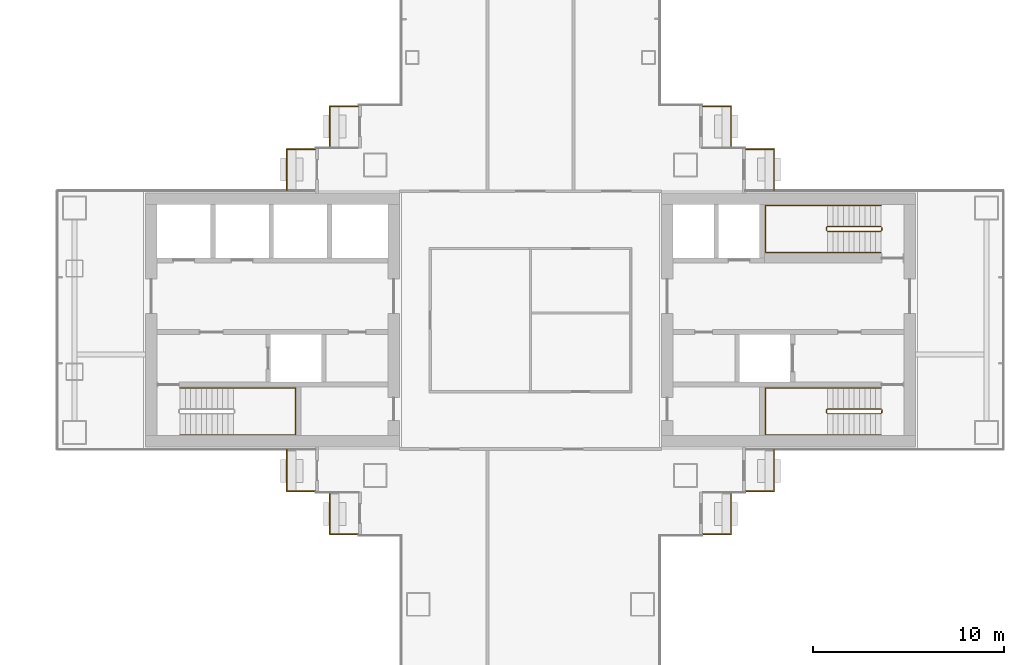
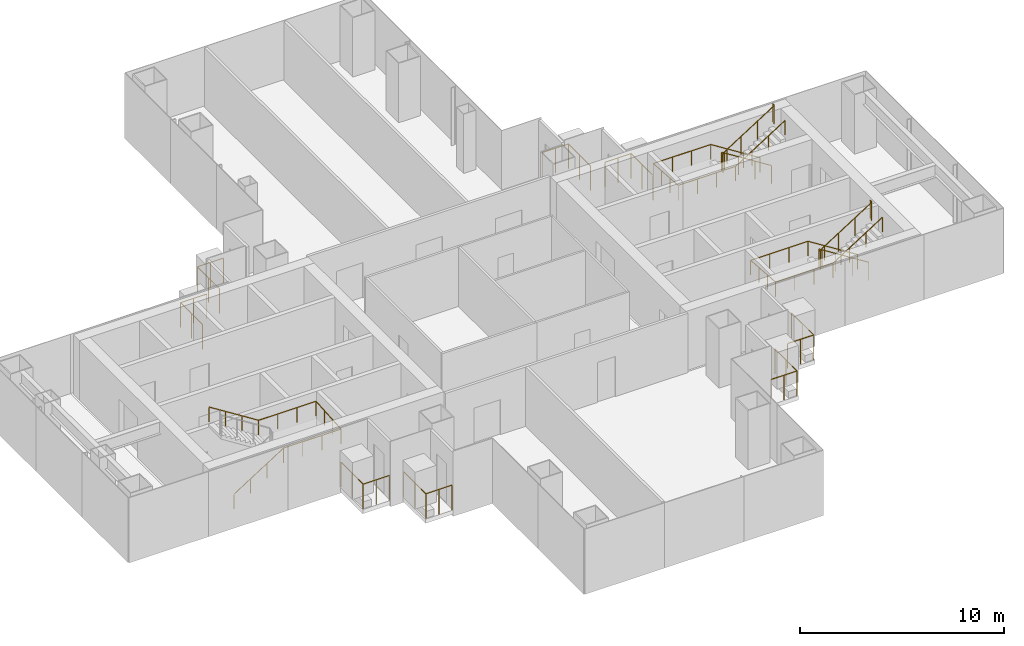
# One storey, part 19 of 20: 13 railings.
"""IFC4 building model written with IfcOpenShell, lengths in metres."""

from ifc_helpers import new_model, si_unit, direction, frame, origin, origin_2d, place, context, subcontext, project, spatial, circle, extrude, material, type_object, element, save


model = new_model("IFC4")

# Units and contexts
model_context = context("Model", 3, precision=1e-05, world=origin(), true_north=direction((0.0, 1.0)))
body_context = subcontext(model_context, "Body", "Model", "MODEL_VIEW")
ifc_project = project(units=[si_unit("LENGTHUNIT", "METRE"), si_unit("AREAUNIT", "SQUARE_METRE"), si_unit("VOLUMEUNIT", "CUBIC_METRE"), si_unit("PLANEANGLEUNIT", "RADIAN"), si_unit("MASSUNIT", "GRAM", prefix="KILO")], contexts=[model_context])

# Site, building, storey
site_placement = place(None, origin())
site = spatial("IfcSite", under=ifc_project, at=site_placement, CompositionType="ELEMENT")
building_placement = place(site_placement, origin())
building = spatial("IfcBuilding", under=site, at=building_placement, Name="Shamsa Quay Exchange Towers", CompositionType="ELEMENT")
storey_placement = place(building_placement, frame((0.0, 0.0, 120.89990234375)))
storey = spatial("IfcBuildingStorey", under=building, at=storey_placement, Name="L28", CompositionType="ELEMENT", Elevation=120.89990234375)

# Railings
ifc_material_1 = material(Name="Steel S355, black powder-coated", Category="steel")
railing_type_1 = type_object("IfcRailingType", Name="BALCONY GUARD 1500", PredefinedType="GUARDRAIL", material=ifc_material_1)
for number, where, name in (
    (1, (24.72900390625, 11.199951171875, 0.0), "Balcony guard T2-PKEN L28"),
    (2, (22.47900390625, 8.949951171875, 0.0), "Balcony guard T2-PKEN L28"),
):
    element("IfcRailing", number, at=place(storey_placement, frame(where)), inside=storey, type_object=railing_type_1, Name=name, PredefinedType="GUARDRAIL", context=body_context, shape_type="SweptSolid", body=[
        extrude(circle(Radius=0.02392578125, at=origin_2d()), frame((0.0, 0.0, 1.47607421875), z_axis=(-1.0, 0.0, 0.0), x_axis=(0.0, -1.0, 0.0)), (0.0, 0.0, 1.0), 1.47900390625),
        extrude(circle(Radius=0.02392578125, at=origin_2d()), frame((-1.47900390625, 0.0, 1.47607421875), z_axis=(0.0, -1.0, 0.0), x_axis=(1.0, 0.0, 0.0)), (0.0, 0.0, 1.0), 2.161865234375),
        extrude(circle(Radius=0.02099609375, at=origin_2d()), origin(), (0.0, 0.0, 1.0), 1.451904296875),
        extrude(circle(Radius=0.02099609375, at=origin_2d()), frame((-0.739501953125, 0.0, 0.0)), (0.0, 0.0, 1.0), 1.451904296875),
        extrude(circle(Radius=0.02099609375, at=origin_2d()), frame((-1.47900390625, 0.0, 0.0)), (0.0, 0.0, 1.0), 1.451904296875),
        extrude(circle(Radius=0.02099609375, at=origin_2d()), frame((-1.47900390625, -1.0810546875, 0.0)), (0.0, 0.0, 1.0), 1.451904296875),
        extrude(circle(Radius=0.02099609375, at=origin_2d()), frame((-1.47900390625, -2.161865234375, 0.0)), (0.0, 0.0, 1.0), 1.451904296875),
    ])
for number, where, name in (
    (3, (44.25, 9.0380859375, 0.0), "Balcony guard T2-PKES L28"),
    (4, (46.5, 6.7880859375, 0.0), "Balcony guard T2-PKES L28"),
):
    element("IfcRailing", number, at=place(storey_placement, frame(where)), inside=storey, type_object=railing_type_1, Name=name, PredefinedType="GUARDRAIL", context=body_context, shape_type="SweptSolid", body=[
        extrude(circle(Radius=0.02392578125, at=origin_2d()), frame((0.0, 0.0, 1.47607421875), z_axis=(0.0, 1.0, 0.0), x_axis=(-1.0, 0.0, 0.0)), (0.0, 0.0, 1.0), 2.161865234375),
        extrude(circle(Radius=0.02392578125, at=origin_2d()), frame((0.0, 2.161865234375, 1.47607421875), z_axis=(-1.0, 0.0, 0.0), x_axis=(0.0, -1.0, 0.0)), (0.0, 0.0, 1.0), 1.47900390625),
        extrude(circle(Radius=0.02099609375, at=origin_2d()), origin(), (0.0, 0.0, 1.0), 1.451904296875),
        extrude(circle(Radius=0.02099609375, at=origin_2d()), frame((0.0, 1.0810546875, 0.0)), (0.0, 0.0, 1.0), 1.451904296875),
        extrude(circle(Radius=0.02099609375, at=origin_2d()), frame((0.0, 2.161865234375, 0.0)), (0.0, 0.0, 1.0), 1.451904296875),
        extrude(circle(Radius=0.02099609375, at=origin_2d()), frame((-0.739501953125, 2.161865234375, 0.0)), (0.0, 0.0, 1.0), 1.451904296875),
        extrude(circle(Radius=0.02099609375, at=origin_2d()), frame((-1.47900390625, 2.161865234375, 0.0)), (0.0, 0.0, 1.0), 1.451904296875),
    ])
for number, where, name in (
    (5, (21.0, -6.7880859375, 0.0), "Balcony guard T2-PKWN L28"),
    (6, (23.25, -9.0380859375, 0.0), "Balcony guard T2-PKWN L28"),
):
    element("IfcRailing", number, at=place(storey_placement, frame(where)), inside=storey, type_object=railing_type_1, Name=name, PredefinedType="GUARDRAIL", context=body_context, shape_type="SweptSolid", body=[
        extrude(circle(Radius=0.02392578125, at=origin_2d()), frame((0.0, 0.0, 1.47607421875), z_axis=(0.0, -1.0, 0.0), x_axis=(1.0, 0.0, 0.0)), (0.0, 0.0, 1.0), 2.161865234375),
        extrude(circle(Radius=0.02392578125, at=origin_2d()), frame((0.0, -2.161865234375, 1.47607421875), z_axis=(1.0, 0.0, 0.0), x_axis=(0.0, 1.0, 0.0)), (0.0, 0.0, 1.0), 1.47900390625),
        extrude(circle(Radius=0.02099609375, at=origin_2d()), origin(), (0.0, 0.0, 1.0), 1.451904296875),
        extrude(circle(Radius=0.02099609375, at=origin_2d()), frame((0.0, -1.0810546875, 0.0)), (0.0, 0.0, 1.0), 1.451904296875),
        extrude(circle(Radius=0.02099609375, at=origin_2d()), frame((0.0, -2.161865234375, 0.0)), (0.0, 0.0, 1.0), 1.451904296875),
        extrude(circle(Radius=0.02099609375, at=origin_2d()), frame((0.739501953125, -2.161865234375, 0.0)), (0.0, 0.0, 1.0), 1.451904296875),
        extrude(circle(Radius=0.02099609375, at=origin_2d()), frame((1.47900390625, -2.161865234375, 0.0)), (0.0, 0.0, 1.0), 1.451904296875),
    ])
for number, where, name in (
    (7, (42.77099609375, -11.199951171875, 0.0), "Balcony guard T2-PKWS L28"),
    (8, (45.02099609375, -8.949951171875, 0.0), "Balcony guard T2-PKWS L28"),
):
    element("IfcRailing", number, at=place(storey_placement, frame(where)), inside=storey, type_object=railing_type_1, Name=name, PredefinedType="GUARDRAIL", context=body_context, shape_type="SweptSolid", body=[
        extrude(circle(Radius=0.02392578125, at=origin_2d()), frame((0.0, 0.0, 1.47607421875), z_axis=(1.0, 0.0, 0.0), x_axis=(0.0, 1.0, 0.0)), (0.0, 0.0, 1.0), 1.47900390625),
        extrude(circle(Radius=0.02392578125, at=origin_2d()), frame((1.47900390625, 0.0, 1.47607421875), z_axis=(0.0, 1.0, 0.0), x_axis=(-1.0, 0.0, 0.0)), (0.0, 0.0, 1.0), 2.161865234375),
        extrude(circle(Radius=0.02099609375, at=origin_2d()), origin(), (0.0, 0.0, 1.0), 1.451904296875),
        extrude(circle(Radius=0.02099609375, at=origin_2d()), frame((0.739501953125, 0.0, 0.0)), (0.0, 0.0, 1.0), 1.451904296875),
        extrude(circle(Radius=0.02099609375, at=origin_2d()), frame((1.47900390625, 0.0, 0.0)), (0.0, 0.0, 1.0), 1.451904296875),
        extrude(circle(Radius=0.02099609375, at=origin_2d()), frame((1.47900390625, 1.0810546875, 0.0)), (0.0, 0.0, 1.0), 1.451904296875),
        extrude(circle(Radius=0.02099609375, at=origin_2d()), frame((1.47900390625, 2.161865234375, 0.0)), (0.0, 0.0, 1.0), 1.451904296875),
    ])
ifc_material_2 = material(Name="Stainless steel", Category="steel")
railing_type_2 = type_object("IfcRailingType", Name="STAIR GUARD 1100", PredefinedType="GUARDRAIL", material=ifc_material_2)
railing_1_placement = place(storey_placement, frame((52.10009765625, -4.64990234375, 0.177490234375)))
element("IfcRailing", 9, at=railing_1_placement, inside=storey, type_object=railing_type_2, Name="L28 ST5 stair guard 1", PredefinedType="GUARDRAIL", context=body_context, shape_type="SweptSolid", body=[
    extrude(circle(Radius=0.02392578125, at=origin_2d()), frame((0.0, 0.0, 1.076171875), z_axis=(-0.844908973607, 0.0, 0.534910110503), x_axis=(0.0, -1.0, 0.0)), (0.0, 0.0, 1.0), 3.31396484375),
    extrude(circle(Radius=0.02392578125, at=origin_2d()), frame((-2.800048828125, 0.0, 2.8486328125), z_axis=(-0.707106781187, -0.707106781187, 0.0), x_axis=(0.707106781187, -0.707106781187, 0.0)), (0.0, 0.0, 1.0), 0.07080078125),
    extrude(circle(Radius=0.02392578125, at=origin_2d()), frame((-2.85009765625, -0.050048828125, 2.8486328125), z_axis=(0.0, -1.0, 0.0), x_axis=(1.0, 0.0, 0.0)), (0.0, 0.0, 1.0), 0.150146484375),
    extrude(circle(Radius=0.02392578125, at=origin_2d()), frame((-2.85009765625, -0.2001953125, 2.8486328125), z_axis=(0.262321481514, -0.261041864531, 0.929001929653), x_axis=(0.705375805398, 0.708833529934, 0.0)), (0.0, 0.0, 1.0), 0.190673828125),
    extrude(circle(Radius=0.02392578125, at=origin_2d()), frame((-2.800048828125, -0.25, 3.02587890625), z_axis=(0.844908973607, 0.0, 0.534910110503), x_axis=(0.0, 1.0, 0.0)), (0.0, 0.0, 1.0), 3.31396484375),
    extrude(circle(Radius=0.02392578125, at=origin_2d()), frame((0.0, -0.25, 4.798828125), z_axis=(0.241699205484, 0.970351222016, 0.0), x_axis=(-0.970351222016, 0.241699205484, 0.0)), (0.0, 0.0, 1.0), 0.2060546875),
    extrude(circle(Radius=0.02392578125, at=origin_2d()), frame((0.0498046875, -0.050048828125, 4.798828125), z_axis=(0.0, -1.0, 0.0), x_axis=(1.0, 0.0, 0.0)), (0.0, 0.0, 1.0), 0.150146484375),
    extrude(circle(Radius=0.02099609375, at=origin_2d()), origin(), (0.0, 0.0, 1.0), 1.052001953125),
    extrude(circle(Radius=0.02099609375, at=origin_2d()), frame((-0.933349609375, 0.0, 0.5908203125)), (0.0, 0.0, 1.0), 1.052001953125),
    extrude(circle(Radius=0.02099609375, at=origin_2d()), frame((-1.86669921875, 0.0, 1.181884765625)), (0.0, 0.0, 1.0), 1.052001953125),
    extrude(circle(Radius=0.02099609375, at=origin_2d()), frame((-2.800048828125, 0.0, 1.772705078125)), (0.0, 0.0, 1.0), 1.052001953125),
    extrude(circle(Radius=0.02099609375, at=origin_2d()), frame((-2.85009765625, -0.050048828125, 1.772705078125)), (0.0, 0.0, 1.0), 1.052001953125),
    extrude(circle(Radius=0.02099609375, at=origin_2d()), frame((-2.85009765625, -0.2001953125, 1.772705078125)), (0.0, 0.0, 1.0), 1.052001953125),
    extrude(circle(Radius=0.02099609375, at=origin_2d()), frame((-2.800048828125, -0.25, 1.949951171875)), (0.0, 0.0, 1.0), 1.052001953125),
    extrude(circle(Radius=0.02099609375, at=origin_2d()), frame((-1.86669921875, -0.25, 2.540771484375)), (0.0, 0.0, 1.0), 1.052001953125),
    extrude(circle(Radius=0.02099609375, at=origin_2d()), frame((-0.933349609375, -0.25, 3.1318359375)), (0.0, 0.0, 1.0), 1.052001953125),
    extrude(circle(Radius=0.02099609375, at=origin_2d()), frame((0.0, -0.25, 3.72265625)), (0.0, 0.0, 1.0), 1.052001953125),
    extrude(circle(Radius=0.02099609375, at=origin_2d()), frame((0.0498046875, -0.050048828125, 3.72265625)), (0.0, 0.0, 1.0), 1.052001953125),
    extrude(circle(Radius=0.02099609375, at=origin_2d()), frame((0.0498046875, -0.2001953125, 3.72265625)), (0.0, 0.0, 1.0), 1.052001953125),
])
railing_2_placement = place(storey_placement, frame((52.10009765625, 4.89990234375, 0.177490234375)))
element("IfcRailing", 10, at=railing_2_placement, inside=storey, type_object=railing_type_2, Name="L28 ST6 stair guard 1", PredefinedType="GUARDRAIL", context=body_context, shape_type="SweptSolid", body=[
    extrude(circle(Radius=0.02392578125, at=origin_2d()), frame((0.0, 0.0, 1.076171875), z_axis=(-0.844908973607, 0.0, 0.534910110503), x_axis=(0.0, -1.0, 0.0)), (0.0, 0.0, 1.0), 3.31396484375),
    extrude(circle(Radius=0.02392578125, at=origin_2d()), frame((-2.800048828125, 0.0, 2.8486328125), z_axis=(-0.708833529934, -0.705375805398, 0.0), x_axis=(0.705375805398, -0.708833529934, 0.0)), (0.0, 0.0, 1.0), 0.070556640625),
    extrude(circle(Radius=0.02392578125, at=origin_2d()), frame((-2.85009765625, -0.0498046875, 2.8486328125), z_axis=(0.0, -1.0, 0.0), x_axis=(1.0, 0.0, 0.0)), (0.0, 0.0, 1.0), 0.150146484375),
    extrude(circle(Radius=0.02392578125, at=origin_2d()), frame((-2.85009765625, -0.199951171875, 2.8486328125), z_axis=(0.262233686654, -0.262233686654, 0.928691007369), x_axis=(0.707106781187, 0.707106781187, 0.0)), (0.0, 0.0, 1.0), 0.19091796875),
    extrude(circle(Radius=0.02392578125, at=origin_2d()), frame((-2.800048828125, -0.25, 3.02587890625), z_axis=(0.844908973607, 0.0, 0.534910110503), x_axis=(0.0, 1.0, 0.0)), (0.0, 0.0, 1.0), 3.31396484375),
    extrude(circle(Radius=0.02392578125, at=origin_2d()), frame((0.0, -0.25, 4.798828125), z_axis=(0.24142163986, 0.970420317083, 0.0), x_axis=(-0.970420317083, 0.24142163986, 0.0)), (0.0, 0.0, 1.0), 0.206298828125),
    extrude(circle(Radius=0.02392578125, at=origin_2d()), frame((0.0498046875, -0.0498046875, 4.798828125), z_axis=(0.0, -1.0, 0.0), x_axis=(1.0, 0.0, 0.0)), (0.0, 0.0, 1.0), 0.150146484375),
    extrude(circle(Radius=0.02099609375, at=origin_2d()), origin(), (0.0, 0.0, 1.0), 1.052001953125),
    extrude(circle(Radius=0.02099609375, at=origin_2d()), frame((-0.933349609375, 0.0, 0.5908203125)), (0.0, 0.0, 1.0), 1.052001953125),
    extrude(circle(Radius=0.02099609375, at=origin_2d()), frame((-1.86669921875, 0.0, 1.181884765625)), (0.0, 0.0, 1.0), 1.052001953125),
    extrude(circle(Radius=0.02099609375, at=origin_2d()), frame((-2.800048828125, 0.0, 1.772705078125)), (0.0, 0.0, 1.0), 1.052001953125),
    extrude(circle(Radius=0.02099609375, at=origin_2d()), frame((-2.85009765625, -0.0498046875, 1.772705078125)), (0.0, 0.0, 1.0), 1.052001953125),
    extrude(circle(Radius=0.02099609375, at=origin_2d()), frame((-2.85009765625, -0.199951171875, 1.772705078125)), (0.0, 0.0, 1.0), 1.052001953125),
    extrude(circle(Radius=0.02099609375, at=origin_2d()), frame((-2.800048828125, -0.25, 1.949951171875)), (0.0, 0.0, 1.0), 1.052001953125),
    extrude(circle(Radius=0.02099609375, at=origin_2d()), frame((-1.86669921875, -0.25, 2.540771484375)), (0.0, 0.0, 1.0), 1.052001953125),
    extrude(circle(Radius=0.02099609375, at=origin_2d()), frame((-0.933349609375, -0.25, 3.1318359375)), (0.0, 0.0, 1.0), 1.052001953125),
    extrude(circle(Radius=0.02099609375, at=origin_2d()), frame((0.0, -0.25, 3.72265625)), (0.0, 0.0, 1.0), 1.052001953125),
    extrude(circle(Radius=0.02099609375, at=origin_2d()), frame((0.0498046875, -0.0498046875, 3.72265625)), (0.0, 0.0, 1.0), 1.052001953125),
    extrude(circle(Radius=0.02099609375, at=origin_2d()), frame((0.0498046875, -0.199951171875, 3.72265625)), (0.0, 0.0, 1.0), 1.052001953125),
])
railing_type_3 = type_object("IfcRailingType", Name="STAIR HANDRAIL 900", PredefinedType="HANDRAIL", material=ifc_material_2)
railing_3_placement = place(storey_placement, frame((15.39990234375, -6.0, 0.177490234375)))
element("IfcRailing", 11, at=railing_3_placement, inside=storey, type_object=railing_type_3, Name="L28 ST4 stair handrail 1", PredefinedType="HANDRAIL", context=body_context, shape_type="SweptSolid", body=[
    extrude(circle(Radius=0.02392578125, at=origin_2d()), frame((0.0, 0.0, 0.8759765625), z_axis=(0.844908973607, 0.0, 0.534910110503), x_axis=(0.0, 1.0, 0.0)), (0.0, 0.0, 1.0), 3.31396484375),
    extrude(circle(Radius=0.02392578125, at=origin_2d()), frame((2.800048828125, 0.0, 2.6484375), z_axis=(1.0, 0.0, 0.0), x_axis=(0.0, 1.0, 0.0)), (0.0, 0.0, 1.0), 3.25),
    extrude(circle(Radius=0.02392578125, at=origin_2d()), frame((6.050048828125, 0.0, 2.6484375), z_axis=(0.0, 0.997393199914, 0.07215819264), x_axis=(-1.0, 0.0, 0.0)), (0.0, 0.0, 1.0), 2.456298828125),
    extrude(circle(Radius=0.02392578125, at=origin_2d()), frame((6.050048828125, 2.449951171875, 2.82568359375), z_axis=(-1.0, 0.0, 0.0), x_axis=(0.0, -1.0, 0.0)), (0.0, 0.0, 1.0), 3.25),
    extrude(circle(Radius=0.02392578125, at=origin_2d()), frame((2.800048828125, 2.449951171875, 2.82568359375), z_axis=(-0.844908973607, 0.0, 0.534910110503), x_axis=(0.0, -1.0, 0.0)), (0.0, 0.0, 1.0), 3.31396484375),
    extrude(circle(Radius=0.02099609375, at=origin_2d()), origin(), (0.0, 0.0, 1.0), 0.851806640625),
    extrude(circle(Radius=0.02099609375, at=origin_2d()), frame((0.933349609375, 0.0, 0.5908203125)), (0.0, 0.0, 1.0), 0.851806640625),
    extrude(circle(Radius=0.02099609375, at=origin_2d()), frame((1.86669921875, 0.0, 1.181884765625)), (0.0, 0.0, 1.0), 0.851806640625),
    extrude(circle(Radius=0.02099609375, at=origin_2d()), frame((2.800048828125, 0.0, 1.772705078125)), (0.0, 0.0, 1.0), 0.851806640625),
    extrude(circle(Radius=0.02099609375, at=origin_2d()), frame((3.88330078125, 0.0, 1.772705078125)), (0.0, 0.0, 1.0), 0.851806640625),
    extrude(circle(Radius=0.02099609375, at=origin_2d()), frame((4.966796875, 0.0, 1.772705078125)), (0.0, 0.0, 1.0), 0.851806640625),
    extrude(circle(Radius=0.02099609375, at=origin_2d()), frame((6.050048828125, 0.0, 1.772705078125)), (0.0, 0.0, 1.0), 0.851806640625),
    extrude(circle(Radius=0.02099609375, at=origin_2d()), frame((6.050048828125, 0.816650390625, 1.831787109375)), (0.0, 0.0, 1.0), 0.851806640625),
    extrude(circle(Radius=0.02099609375, at=origin_2d()), frame((6.050048828125, 1.63330078125, 1.890869140625)), (0.0, 0.0, 1.0), 0.851806640625),
    extrude(circle(Radius=0.02099609375, at=origin_2d()), frame((6.050048828125, 2.449951171875, 1.949951171875)), (0.0, 0.0, 1.0), 0.851806640625),
    extrude(circle(Radius=0.02099609375, at=origin_2d()), frame((4.966796875, 2.449951171875, 1.949951171875)), (0.0, 0.0, 1.0), 0.851806640625),
    extrude(circle(Radius=0.02099609375, at=origin_2d()), frame((3.88330078125, 2.449951171875, 1.949951171875)), (0.0, 0.0, 1.0), 0.851806640625),
    extrude(circle(Radius=0.02099609375, at=origin_2d()), frame((2.800048828125, 2.449951171875, 1.949951171875)), (0.0, 0.0, 1.0), 0.851806640625),
    extrude(circle(Radius=0.02099609375, at=origin_2d()), frame((1.86669921875, 2.449951171875, 2.540771484375)), (0.0, 0.0, 1.0), 0.851806640625),
    extrude(circle(Radius=0.02099609375, at=origin_2d()), frame((0.933349609375, 2.449951171875, 3.1318359375)), (0.0, 0.0, 1.0), 0.851806640625),
    extrude(circle(Radius=0.02099609375, at=origin_2d()), frame((0.0, 2.449951171875, 3.72265625)), (0.0, 0.0, 1.0), 0.851806640625),
])
railing_4_placement = place(storey_placement, frame((52.10009765625, -3.550048828125, 0.177490234375)))
element("IfcRailing", 12, at=railing_4_placement, inside=storey, type_object=railing_type_3, Name="L28 ST5 stair handrail 1", PredefinedType="HANDRAIL", context=body_context, shape_type="SweptSolid", body=[
    extrude(circle(Radius=0.02392578125, at=origin_2d()), frame((0.0, 0.0, 0.8759765625), z_axis=(-0.844908973607, 0.0, 0.534910110503), x_axis=(0.0, -1.0, 0.0)), (0.0, 0.0, 1.0), 3.31396484375),
    extrude(circle(Radius=0.02392578125, at=origin_2d()), frame((-2.800048828125, 0.0, 2.6484375), z_axis=(-1.0, 0.0, 0.0), x_axis=(0.0, -1.0, 0.0)), (0.0, 0.0, 1.0), 3.25),
    extrude(circle(Radius=0.02392578125, at=origin_2d()), frame((-6.050048828125, 0.0, 2.6484375), z_axis=(0.0, -0.997393199914, 0.07215819264), x_axis=(1.0, 0.0, 0.0)), (0.0, 0.0, 1.0), 2.456298828125),
    extrude(circle(Radius=0.02392578125, at=origin_2d()), frame((-6.050048828125, -2.449951171875, 2.82568359375), z_axis=(1.0, 0.0, 0.0), x_axis=(0.0, 1.0, 0.0)), (0.0, 0.0, 1.0), 3.25),
    extrude(circle(Radius=0.02392578125, at=origin_2d()), frame((-2.800048828125, -2.449951171875, 2.82568359375), z_axis=(0.844908973607, 0.0, 0.534910110503), x_axis=(0.0, 1.0, 0.0)), (0.0, 0.0, 1.0), 3.31396484375),
    extrude(circle(Radius=0.02099609375, at=origin_2d()), origin(), (0.0, 0.0, 1.0), 0.851806640625),
    extrude(circle(Radius=0.02099609375, at=origin_2d()), frame((-0.933349609375, 0.0, 0.5908203125)), (0.0, 0.0, 1.0), 0.851806640625),
    extrude(circle(Radius=0.02099609375, at=origin_2d()), frame((-1.86669921875, 0.0, 1.181884765625)), (0.0, 0.0, 1.0), 0.851806640625),
    extrude(circle(Radius=0.02099609375, at=origin_2d()), frame((-2.800048828125, 0.0, 1.772705078125)), (0.0, 0.0, 1.0), 0.851806640625),
    extrude(circle(Radius=0.02099609375, at=origin_2d()), frame((-3.88330078125, 0.0, 1.772705078125)), (0.0, 0.0, 1.0), 0.851806640625),
    extrude(circle(Radius=0.02099609375, at=origin_2d()), frame((-4.966796875, 0.0, 1.772705078125)), (0.0, 0.0, 1.0), 0.851806640625),
    extrude(circle(Radius=0.02099609375, at=origin_2d()), frame((-6.050048828125, 0.0, 1.772705078125)), (0.0, 0.0, 1.0), 0.851806640625),
    extrude(circle(Radius=0.02099609375, at=origin_2d()), frame((-6.050048828125, -0.816650390625, 1.831787109375)), (0.0, 0.0, 1.0), 0.851806640625),
    extrude(circle(Radius=0.02099609375, at=origin_2d()), frame((-6.050048828125, -1.63330078125, 1.890869140625)), (0.0, 0.0, 1.0), 0.851806640625),
    extrude(circle(Radius=0.02099609375, at=origin_2d()), frame((-6.050048828125, -2.449951171875, 1.949951171875)), (0.0, 0.0, 1.0), 0.851806640625),
    extrude(circle(Radius=0.02099609375, at=origin_2d()), frame((-4.966796875, -2.449951171875, 1.949951171875)), (0.0, 0.0, 1.0), 0.851806640625),
    extrude(circle(Radius=0.02099609375, at=origin_2d()), frame((-3.88330078125, -2.449951171875, 1.949951171875)), (0.0, 0.0, 1.0), 0.851806640625),
    extrude(circle(Radius=0.02099609375, at=origin_2d()), frame((-2.800048828125, -2.449951171875, 1.949951171875)), (0.0, 0.0, 1.0), 0.851806640625),
    extrude(circle(Radius=0.02099609375, at=origin_2d()), frame((-1.86669921875, -2.449951171875, 2.540771484375)), (0.0, 0.0, 1.0), 0.851806640625),
    extrude(circle(Radius=0.02099609375, at=origin_2d()), frame((-0.933349609375, -2.449951171875, 3.1318359375)), (0.0, 0.0, 1.0), 0.851806640625),
    extrude(circle(Radius=0.02099609375, at=origin_2d()), frame((0.0, -2.449951171875, 3.72265625)), (0.0, 0.0, 1.0), 0.851806640625),
])
railing_5_placement = place(storey_placement, frame((52.10009765625, 6.0, 0.177490234375)))
element("IfcRailing", 13, at=railing_5_placement, inside=storey, type_object=railing_type_3, Name="L28 ST6 stair handrail 1", PredefinedType="HANDRAIL", context=body_context, shape_type="SweptSolid", body=[
    extrude(circle(Radius=0.02392578125, at=origin_2d()), frame((0.0, 0.0, 0.8759765625), z_axis=(-0.844908973607, 0.0, 0.534910110503), x_axis=(0.0, -1.0, 0.0)), (0.0, 0.0, 1.0), 3.31396484375),
    extrude(circle(Radius=0.02392578125, at=origin_2d()), frame((-2.800048828125, 0.0, 2.6484375), z_axis=(-1.0, 0.0, 0.0), x_axis=(0.0, -1.0, 0.0)), (0.0, 0.0, 1.0), 3.25),
    extrude(circle(Radius=0.02392578125, at=origin_2d()), frame((-6.050048828125, 0.0, 2.6484375), z_axis=(0.0, -0.997393199914, 0.07215819264), x_axis=(1.0, 0.0, 0.0)), (0.0, 0.0, 1.0), 2.456298828125),
    extrude(circle(Radius=0.02392578125, at=origin_2d()), frame((-6.050048828125, -2.449951171875, 2.82568359375), z_axis=(1.0, 0.0, 0.0), x_axis=(0.0, 1.0, 0.0)), (0.0, 0.0, 1.0), 3.25),
    extrude(circle(Radius=0.02392578125, at=origin_2d()), frame((-2.800048828125, -2.449951171875, 2.82568359375), z_axis=(0.844908973607, 0.0, 0.534910110503), x_axis=(0.0, 1.0, 0.0)), (0.0, 0.0, 1.0), 3.31396484375),
    extrude(circle(Radius=0.02099609375, at=origin_2d()), origin(), (0.0, 0.0, 1.0), 0.851806640625),
    extrude(circle(Radius=0.02099609375, at=origin_2d()), frame((-0.933349609375, 0.0, 0.5908203125)), (0.0, 0.0, 1.0), 0.851806640625),
    extrude(circle(Radius=0.02099609375, at=origin_2d()), frame((-1.86669921875, 0.0, 1.181884765625)), (0.0, 0.0, 1.0), 0.851806640625),
    extrude(circle(Radius=0.02099609375, at=origin_2d()), frame((-2.800048828125, 0.0, 1.772705078125)), (0.0, 0.0, 1.0), 0.851806640625),
    extrude(circle(Radius=0.02099609375, at=origin_2d()), frame((-3.88330078125, 0.0, 1.772705078125)), (0.0, 0.0, 1.0), 0.851806640625),
    extrude(circle(Radius=0.02099609375, at=origin_2d()), frame((-4.966796875, 0.0, 1.772705078125)), (0.0, 0.0, 1.0), 0.851806640625),
    extrude(circle(Radius=0.02099609375, at=origin_2d()), frame((-6.050048828125, 0.0, 1.772705078125)), (0.0, 0.0, 1.0), 0.851806640625),
    extrude(circle(Radius=0.02099609375, at=origin_2d()), frame((-6.050048828125, -0.816650390625, 1.831787109375)), (0.0, 0.0, 1.0), 0.851806640625),
    extrude(circle(Radius=0.02099609375, at=origin_2d()), frame((-6.050048828125, -1.63330078125, 1.890869140625)), (0.0, 0.0, 1.0), 0.851806640625),
    extrude(circle(Radius=0.02099609375, at=origin_2d()), frame((-6.050048828125, -2.449951171875, 1.949951171875)), (0.0, 0.0, 1.0), 0.851806640625),
    extrude(circle(Radius=0.02099609375, at=origin_2d()), frame((-4.966796875, -2.449951171875, 1.949951171875)), (0.0, 0.0, 1.0), 0.851806640625),
    extrude(circle(Radius=0.02099609375, at=origin_2d()), frame((-3.88330078125, -2.449951171875, 1.949951171875)), (0.0, 0.0, 1.0), 0.851806640625),
    extrude(circle(Radius=0.02099609375, at=origin_2d()), frame((-2.800048828125, -2.449951171875, 1.949951171875)), (0.0, 0.0, 1.0), 0.851806640625),
    extrude(circle(Radius=0.02099609375, at=origin_2d()), frame((-1.86669921875, -2.449951171875, 2.540771484375)), (0.0, 0.0, 1.0), 0.851806640625),
    extrude(circle(Radius=0.02099609375, at=origin_2d()), frame((-0.933349609375, -2.449951171875, 3.1318359375)), (0.0, 0.0, 1.0), 0.851806640625),
    extrude(circle(Radius=0.02099609375, at=origin_2d()), frame((0.0, -2.449951171875, 3.72265625)), (0.0, 0.0, 1.0), 0.851806640625),
])

save(model, "model.ifc")
